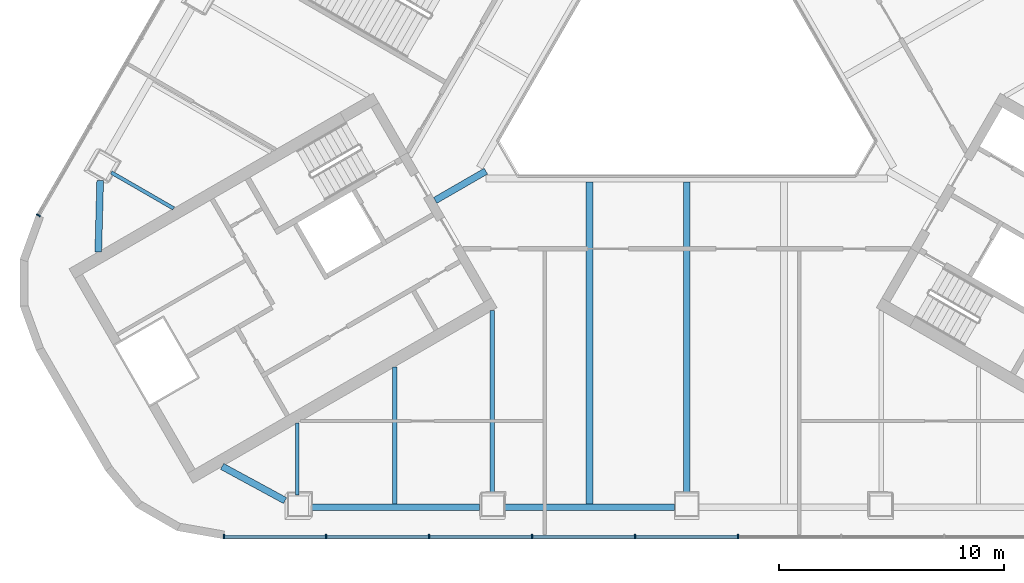
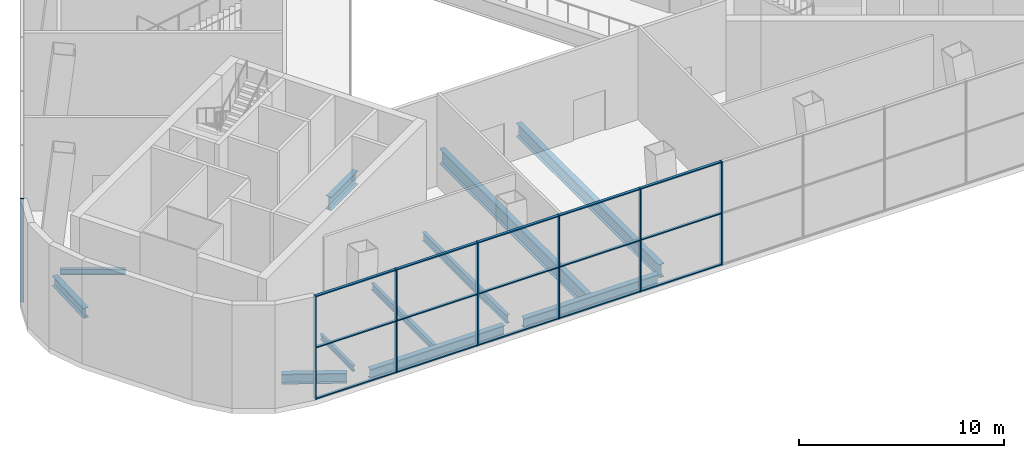
# One storey, part 2 of 17: 22 members, 11 beams, 2 elements without a shape of their own.
"""IFC4 building model written with IfcOpenShell, lengths in metres."""

import ifcopenshell
import ifcopenshell.guid

model = None  # the IFC model being written
_history = None  # IfcOwnerHistory: only IFC2X3 demands one
_inside = {}  # id of a spatial element -> (the spatial element, [elements in it])
_under = {}  # id of a project, library or spatial element -> (it, [spatial elements below it])
_declared = {}  # id of a project -> (the project, [libraries it declares])
_typed = {}  # id of a type object -> (the type object, [elements of that type])
_made_of = {}  # id of a material, layer set ... -> (it, [elements and type objects made of it])


def new_model(schema):
    """Start an empty IFC model of exactly this schema.

    Asked for "IFC4X3", IfcOpenShell would pick the latest addendum, in which some entities
    have other attributes; the version numbers below select the first issue.
    IFC2X3 requires an IfcOwnerHistory on every rooted entity: one is made here for all.
    """
    global model, _history
    if schema == "IFC4X3":
        model = ifcopenshell.file(schema_version=(4, 3, 0, 0))
    else:
        model = ifcopenshell.file(schema=schema)
    _inside.clear()
    _under.clear()
    _declared.clear()
    _typed.clear()
    _made_of.clear()
    _history = None
    if model.schema == "IFC2X3":
        org = make("IfcOrganization", Name="unknown")
        user = make(
            "IfcPersonAndOrganization",
            ThePerson=make("IfcPerson", FamilyName="unknown"),
            TheOrganization=org,
        )
        app = make(
            "IfcApplication",
            ApplicationDeveloper=org,
            Version="unknown",
            ApplicationFullName="unknown",
            ApplicationIdentifier="unknown",
        )
        _history = make(
            "IfcOwnerHistory",
            OwningUser=user,
            OwningApplication=app,
            ChangeAction="ADDED",
            CreationDate=0,
        )
    return model


def make(cls, **values):
    """One entity of the class cls with the attributes given. An attribute that is None is left unset."""
    return model.create_entity(
        cls, **{name: value for name, value in values.items() if value is not None}
    )


def rooted(cls, **values):
    """An entity with a GlobalId (a new one), such as an element, a storey or a relation."""
    return make(cls, GlobalId=ifcopenshell.guid.new(), OwnerHistory=_history, **values)


def si_unit(unit_type, name, prefix=None):
    """IfcSIUnit, for example si_unit("LENGTHUNIT", "METRE", prefix="MILLI")."""
    return make("IfcSIUnit", UnitType=unit_type, Prefix=prefix, Name=name)


def assignment(units):
    """IfcUnitAssignment: the units of a project."""
    return None if units is None else make("IfcUnitAssignment", Units=units)


def point(xyz):
    """IfcCartesianPoint."""
    return None if xyz is None else make("IfcCartesianPoint", Coordinates=xyz)


def direction(xyz):
    """IfcDirection."""
    return None if xyz is None else make("IfcDirection", DirectionRatios=xyz)


def frame(location, z_axis=None, x_axis=None):
    """IfcAxis2Placement3D, a coordinate frame: its origin and axes. An axis left out is left unset."""
    return make(
        "IfcAxis2Placement3D",
        Location=point(location),
        Axis=direction(z_axis),
        RefDirection=direction(x_axis),
    )


def frame_2d(location, x_axis=None):
    """IfcAxis2Placement2D, a coordinate frame in the plane: its origin and x axis."""
    return make(
        "IfcAxis2Placement2D", Location=point(location), RefDirection=direction(x_axis)
    )


def origin():
    """The frame at (0, 0, 0) with its axes left unset."""
    return frame((0.0, 0.0, 0.0))


def origin_2d():
    """The frame at (0, 0) in the plane with its x axis left unset."""
    return frame_2d((0.0, 0.0))


def place(relative_to, where):
    """IfcLocalPlacement: puts the frame where relative to a parent placement (None: the world)."""
    return make(
        "IfcLocalPlacement", PlacementRelTo=relative_to, RelativePlacement=where
    )


def context(
    kind, dimensions, precision=None, world=None, true_north=None, identifier=None
):
    """IfcGeometricRepresentationContext, for example the 3D "Model" context."""
    return make(
        "IfcGeometricRepresentationContext",
        ContextIdentifier=identifier,
        ContextType=kind,
        CoordinateSpaceDimension=dimensions,
        Precision=precision,
        WorldCoordinateSystem=world,
        TrueNorth=true_north,
    )


def subcontext(parent, identifier, kind, view, scale=None):
    """IfcGeometricRepresentationSubContext, for example "Body" below "Model"."""
    return make(
        "IfcGeometricRepresentationSubContext",
        ContextIdentifier=identifier,
        ContextType=kind,
        ParentContext=parent,
        TargetScale=scale,
        TargetView=view,
    )


def project(units=None, contexts=None):
    """IfcProject with its units and contexts."""
    return rooted(
        "IfcProject",
        Name="project",
        RepresentationContexts=contexts,
        UnitsInContext=assignment(units),
    )


def spatial(cls, under=None, at=None, **own):
    """A site, building, storey or space (cls), placed at a placement, below another one or the project."""
    s = rooted(cls, ObjectPlacement=at, **own)
    if under is not None:
        _under.setdefault(under.id(), (under, []))[1].append(s)
    return s


def profile(cls, at=None, kind="AREA", **sizes):
    """A parametric profile (cls). Its sizes go by their IFC names, for example OverallWidth=200.0."""
    return make(cls, ProfileType=kind, Position=at, **sizes)


def rectangle(**sizes):
    """IfcRectangleProfileDef."""
    return profile("IfcRectangleProfileDef", **sizes)


def i_section(**sizes):
    """IfcIShapeProfileDef."""
    return profile("IfcIShapeProfileDef", **sizes)


def extrude(swept, where, along, depth):
    """IfcExtrudedAreaSolid: the profile swept, set in the frame where, extruded along a direction by depth."""
    return make(
        "IfcExtrudedAreaSolid",
        SweptArea=swept,
        Position=where,
        ExtrudedDirection=direction(along),
        Depth=depth,
    )


def shape(context_of_items, identifier, shape_type, items):
    """IfcShapeRepresentation: the items that make up one representation, for example the "Body"."""
    return make(
        "IfcShapeRepresentation",
        ContextOfItems=context_of_items,
        RepresentationIdentifier=identifier,
        RepresentationType=shape_type,
        Items=items,
    )


def material(Name=None, Category=None):
    """IfcMaterial."""
    return make("IfcMaterial", Name=Name, Category=Category)


def layer(
    of_material, thickness, ventilated=None, Name=None, Category=None, Priority=None
):
    """IfcMaterialLayer: one layer of a wall or slab, of a material (None: an air gap)."""
    return make(
        "IfcMaterialLayer",
        Material=of_material,
        LayerThickness=thickness,
        IsVentilated=ventilated,
        Name=Name,
        Category=Category,
        Priority=Priority,
    )


def layer_set(layers, Name=None):
    """IfcMaterialLayerSet."""
    return make("IfcMaterialLayerSet", MaterialLayers=layers, LayerSetName=Name)


def material_profile(
    of_material, cross_section, Name=None, Category=None, Priority=None
):
    """IfcMaterialProfile: a cross section and its material."""
    return make(
        "IfcMaterialProfile",
        Name=Name,
        Material=of_material,
        Profile=cross_section,
        Priority=Priority,
        Category=Category,
    )


def profile_set(profiles, Name=None, composite=None):
    """IfcMaterialProfileSet."""
    return make(
        "IfcMaterialProfileSet",
        Name=Name,
        MaterialProfiles=profiles,
        CompositeProfile=composite,
    )


def made_of(thing, what):
    """Note that an element or type object is made of a material, layer set ...; save() writes the relation."""
    if what is not None:
        _made_of.setdefault(what.id(), (what, []))[1].append(thing)
    return thing


def type_object(cls, material=None, **own):
    """A type object (cls), such as IfcWallType, which elements share."""
    return made_of(rooted(cls, **own), material)


def element(
    cls,
    number,
    at=None,
    inside=None,
    cuts=None,
    type_object=None,
    material=None,
    context=None,
    identifier="Body",
    shape_type=None,
    held_by="IfcProductDefinitionShape",
    body=None,
    shapes=None,
    **own,
):
    """One element of the class cls, such as IfcWall. Its Tag is "e" and its number.

    at: its placement. inside: the storey or other place that contains it. cuts: it is an
    opening in that element (IfcRelVoidsElement). A single representation is given by context,
    identifier, shape_type and body (its items); several are given by shapes. held_by: the class
    of the entity that holds the representations. save() writes the other relations.
    """
    e = rooted(cls, Tag="e%d" % number, ObjectPlacement=at, **own)
    if body is not None:
        shapes = [shape(context, identifier, shape_type, body)]
    if shapes is not None:
        e.Representation = make(held_by, Representations=shapes)
    if inside is not None:
        _inside.setdefault(inside.id(), (inside, []))[1].append(e)
    if cuts is not None:
        rooted(
            "IfcRelVoidsElement", RelatingBuildingElement=cuts, RelatedOpeningElement=e
        )
    if type_object is not None:
        _typed.setdefault(type_object.id(), (type_object, []))[1].append(e)
    return made_of(e, material)


def aggregate(whole, parts):
    """IfcRelAggregates: a whole, such as a stair, and the parts it consists of."""
    return rooted("IfcRelAggregates", RelatingObject=whole, RelatedObjects=parts)


def save(model, path):
    """Write the relations noted so far, then the file.

    IfcRelAggregates (storeys below a building ...), IfcRelContainedInSpatialStructure (elements
    in a storey), IfcRelDefinesByType, IfcRelAssociatesMaterial and IfcRelDeclares: one each for
    every whole, place, type object, material and project.
    """
    for whole, parts in _under.values():
        aggregate(whole, parts)
    for where, things in _inside.values():
        rooted(
            "IfcRelContainedInSpatialStructure",
            RelatedElements=things,
            RelatingStructure=where,
        )
    for kind, things in _typed.values():
        rooted("IfcRelDefinesByType", RelatedObjects=things, RelatingType=kind)
    for what, things in _made_of.values():
        rooted("IfcRelAssociatesMaterial", RelatedObjects=things, RelatingMaterial=what)
    for by, libraries in _declared.values():
        rooted("IfcRelDeclares", RelatingContext=by, RelatedDefinitions=libraries)
    model.write(path)


model = new_model("IFC4")

# Units and contexts
model_context = context("Model", 3, precision=1e-05, world=origin(), true_north=direction((0.0, 1.0)))
body_context = subcontext(model_context, "Body", "Model", "MODEL_VIEW")
ifc_project = project(units=[si_unit("LENGTHUNIT", "METRE"), si_unit("AREAUNIT", "SQUARE_METRE"), si_unit("VOLUMEUNIT", "CUBIC_METRE"), si_unit("PLANEANGLEUNIT", "RADIAN"), si_unit("MASSUNIT", "GRAM", prefix="KILO")], contexts=[model_context])

# Site, building, storey
site_placement = place(None, origin())
site = spatial("IfcSite", under=ifc_project, at=site_placement, CompositionType="ELEMENT")
building_placement = place(site_placement, origin())
building = spatial("IfcBuilding", under=site, at=building_placement, Name="Apuvela Tower Hotel", CompositionType="ELEMENT")
storey_placement = place(building_placement, frame((0.0, 0.0, 9.0)))
storey = spatial("IfcBuildingStorey", under=building, at=storey_placement, Name="L01", CompositionType="ELEMENT", Elevation=9.0)

# Curtain wall, members
ifc_material_1 = material(Name="Aluminium 6063-T6, dark bronze anodised", Category="aluminium")
ifc_layer = layer(ifc_material_1, 0.199951171875)
ifc_layer_set = layer_set([ifc_layer], Name="ENV-CW-P")
curtain_wall_type = type_object("IfcCurtainWallType", Name="ENV-CW-P", PredefinedType="NOTDEFINED", material=ifc_layer_set)
curtain_wall_1_placement = place(storey_placement, origin())
curtain_wall_1 = element("IfcCurtainWall", 1, at=curtain_wall_1_placement, inside=storey, type_object=curtain_wall_type, Name="Curtain wall CW-P S L01", PredefinedType="NOTDEFINED")
ifc_material_profile_1 = material_profile(ifc_material_1, rectangle(XDim=0.199951171875, YDim=0.06494140625, at=origin_2d()), Name="AL 65x200")
ifc_profile_set_1 = profile_set([ifc_material_profile_1], Name="Aluminium 6063-T6, dark bronze anodised")
member_type_1 = type_object("IfcMemberType", Name="ENV-MULLION-65x200", PredefinedType="MULLION", material=ifc_profile_set_1)
member_1_placement = place(storey_placement, frame((-20.554931640625, -21.37841796875, 0.0), z_axis=(0.0, 0.0, 1.0), x_axis=(0.0, 1.0, 0.0)))
member_1 = element("IfcMember", 2, at=member_1_placement, type_object=member_type_1, Name="CW-P mullion 1", PredefinedType="MULLION", context=body_context, shape_type="SweptSolid", body=[
    extrude(rectangle(XDim=0.199951171875, YDim=0.06494140625, at=origin_2d()), origin(), (0.0, 0.0, 1.0), 6.14990234375),
])
member_2_placement = place(storey_placement, frame((-16.012451171875, -21.37841796875, 0.0), z_axis=(0.0, 0.0, 1.0), x_axis=(0.0, 1.0, 0.0)))
member_2 = element("IfcMember", 3, at=member_2_placement, type_object=member_type_1, Name="CW-P mullion 2", PredefinedType="MULLION", context=body_context, shape_type="SweptSolid", body=[
    extrude(rectangle(XDim=0.199951171875, YDim=0.06494140625, at=origin_2d()), origin(), (0.0, 0.0, 1.0), 6.14990234375),
])
member_3_placement = place(storey_placement, frame((-11.4375, -21.37841796875, 0.0), z_axis=(0.0, 0.0, 1.0), x_axis=(0.0, 1.0, 0.0)))
member_3 = element("IfcMember", 4, at=member_3_placement, type_object=member_type_1, Name="CW-P mullion 3", PredefinedType="MULLION", context=body_context, shape_type="SweptSolid", body=[
    extrude(rectangle(XDim=0.199951171875, YDim=0.06494140625, at=origin_2d()), origin(), (0.0, 0.0, 1.0), 6.14990234375),
])
member_4_placement = place(storey_placement, frame((-6.862548828125, -21.37841796875, 0.0), z_axis=(0.0, 0.0, 1.0), x_axis=(0.0, 1.0, 0.0)))
member_4 = element("IfcMember", 5, at=member_4_placement, type_object=member_type_1, Name="CW-P mullion 4", PredefinedType="MULLION", context=body_context, shape_type="SweptSolid", body=[
    extrude(rectangle(XDim=0.199951171875, YDim=0.06494140625, at=origin_2d()), origin(), (0.0, 0.0, 1.0), 6.14990234375),
])
member_5_placement = place(storey_placement, frame((-2.28759765625, -21.37841796875, 0.0), z_axis=(0.0, 0.0, 1.0), x_axis=(0.0, 1.0, 0.0)))
member_5 = element("IfcMember", 6, at=member_5_placement, type_object=member_type_1, Name="CW-P mullion 5", PredefinedType="MULLION", context=body_context, shape_type="SweptSolid", body=[
    extrude(rectangle(XDim=0.199951171875, YDim=0.06494140625, at=origin_2d()), origin(), (0.0, 0.0, 1.0), 6.14990234375),
])
member_6_placement = place(storey_placement, frame((2.28759765625, -21.37841796875, 0.0), z_axis=(0.0, 0.0, 1.0), x_axis=(0.0, 1.0, 0.0)))
member_6 = element("IfcMember", 7, at=member_6_placement, type_object=member_type_1, Name="CW-P mullion 6", PredefinedType="MULLION", context=body_context, shape_type="SweptSolid", body=[
    extrude(rectangle(XDim=0.199951171875, YDim=0.06494140625, at=origin_2d()), origin(), (0.0, 0.0, 1.0), 6.14990234375),
])

# Curtain wall, member
curtain_wall_2_placement = place(storey_placement, origin())
curtain_wall_2 = element("IfcCurtainWall", 8, at=curtain_wall_2_placement, inside=storey, type_object=curtain_wall_type, Name="Curtain wall CW-P NW L01", PredefinedType="NOTDEFINED")
member_7_placement = place(storey_placement, frame((-28.791748046875, -7.112060546875, 0.0), z_axis=(0.0, 0.0, 1.0), x_axis=(0.866025428062, -0.49999995795, 0.0)))
member_7 = element("IfcMember", 9, at=member_7_placement, type_object=member_type_1, Name="CW-P mullion 10", PredefinedType="MULLION", context=body_context, shape_type="SweptSolid", body=[
    extrude(rectangle(XDim=0.199951171875, YDim=0.06494140625, at=origin_2d()), origin(), (0.0, 0.0, 1.0), 6.14990234375),
])
aggregate(curtain_wall_2, [member_7])

# Member
ifc_material_profile_2 = material_profile(ifc_material_1, rectangle(XDim=0.14990234375, YDim=0.06494140625, at=origin_2d()), Name="AL 65x150 transom")
ifc_profile_set_2 = profile_set([ifc_material_profile_2], Name="Aluminium 6063-T6, dark bronze anodised")
member_type_2 = type_object("IfcMemberType", Name="ENV-TRANSOM-65x150", PredefinedType="USERDEFINED", material=ifc_profile_set_2)
member_8_placement = place(storey_placement, frame((-20.5224609375, -21.37841796875, 0.032470703125), z_axis=(1.0, 0.0, 0.0), x_axis=(0.0, 1.0, 0.0)))
member_8 = element("IfcMember", 10, at=member_8_placement, type_object=member_type_2, Name="CW-P transom 1.1", ObjectType="TRANSOM", PredefinedType="USERDEFINED", context=body_context, shape_type="SweptSolid", body=[
    extrude(rectangle(XDim=0.14990234375, YDim=0.06494140625, at=origin_2d()), origin(), (0.0, 0.0, 1.0), 4.4775390625),
])

member_9_placement = place(storey_placement, frame((-20.5224609375, -21.37841796875, 3.074951171875), z_axis=(1.0, 0.0, 0.0), x_axis=(0.0, 1.0, 0.0)))
member_9 = element("IfcMember", 11, at=member_9_placement, type_object=member_type_2, Name="CW-P transom 1.2", ObjectType="TRANSOM", PredefinedType="USERDEFINED", context=body_context, shape_type="SweptSolid", body=[
    extrude(rectangle(XDim=0.14990234375, YDim=0.06494140625, at=origin_2d()), origin(), (0.0, 0.0, 1.0), 4.4775390625),
])

member_10_placement = place(storey_placement, frame((-20.5224609375, -21.37841796875, 6.117431640625), z_axis=(1.0, 0.0, 0.0), x_axis=(0.0, 1.0, 0.0)))
member_10 = element("IfcMember", 12, at=member_10_placement, type_object=member_type_2, Name="CW-P transom 1.3", ObjectType="TRANSOM", PredefinedType="USERDEFINED", context=body_context, shape_type="SweptSolid", body=[
    extrude(rectangle(XDim=0.14990234375, YDim=0.06494140625, at=origin_2d()), origin(), (0.0, 0.0, 1.0), 4.4775390625),
])

member_11_placement = place(storey_placement, frame((-15.97998046875, -21.37841796875, 0.032470703125), z_axis=(1.0, 0.0, 0.0), x_axis=(0.0, 1.0, 0.0)))
member_11 = element("IfcMember", 13, at=member_11_placement, type_object=member_type_2, Name="CW-P transom 2.1", ObjectType="TRANSOM", PredefinedType="USERDEFINED", context=body_context, shape_type="SweptSolid", body=[
    extrude(rectangle(XDim=0.14990234375, YDim=0.06494140625, at=origin_2d()), origin(), (0.0, 0.0, 1.0), 4.510009765625),
])

member_12_placement = place(storey_placement, frame((-15.97998046875, -21.37841796875, 3.074951171875), z_axis=(1.0, 0.0, 0.0), x_axis=(0.0, 1.0, 0.0)))
member_12 = element("IfcMember", 14, at=member_12_placement, type_object=member_type_2, Name="CW-P transom 2.2", ObjectType="TRANSOM", PredefinedType="USERDEFINED", context=body_context, shape_type="SweptSolid", body=[
    extrude(rectangle(XDim=0.14990234375, YDim=0.06494140625, at=origin_2d()), origin(), (0.0, 0.0, 1.0), 4.510009765625),
])

member_13_placement = place(storey_placement, frame((-15.97998046875, -21.37841796875, 6.117431640625), z_axis=(1.0, 0.0, 0.0), x_axis=(0.0, 1.0, 0.0)))
member_13 = element("IfcMember", 15, at=member_13_placement, type_object=member_type_2, Name="CW-P transom 2.3", ObjectType="TRANSOM", PredefinedType="USERDEFINED", context=body_context, shape_type="SweptSolid", body=[
    extrude(rectangle(XDim=0.14990234375, YDim=0.06494140625, at=origin_2d()), origin(), (0.0, 0.0, 1.0), 4.510009765625),
])

member_14_placement = place(storey_placement, frame((-11.405029296875, -21.37841796875, 0.032470703125), z_axis=(1.0, 0.0, 0.0), x_axis=(0.0, 1.0, 0.0)))
member_14 = element("IfcMember", 16, at=member_14_placement, type_object=member_type_2, Name="CW-P transom 3.1", ObjectType="TRANSOM", PredefinedType="USERDEFINED", context=body_context, shape_type="SweptSolid", body=[
    extrude(rectangle(XDim=0.14990234375, YDim=0.06494140625, at=origin_2d()), origin(), (0.0, 0.0, 1.0), 4.510009765625),
])

member_15_placement = place(storey_placement, frame((-11.405029296875, -21.37841796875, 3.074951171875), z_axis=(1.0, 0.0, 0.0), x_axis=(0.0, 1.0, 0.0)))
member_15 = element("IfcMember", 17, at=member_15_placement, type_object=member_type_2, Name="CW-P transom 3.2", ObjectType="TRANSOM", PredefinedType="USERDEFINED", context=body_context, shape_type="SweptSolid", body=[
    extrude(rectangle(XDim=0.14990234375, YDim=0.06494140625, at=origin_2d()), origin(), (0.0, 0.0, 1.0), 4.510009765625),
])

member_16_placement = place(storey_placement, frame((-11.405029296875, -21.37841796875, 6.117431640625), z_axis=(1.0, 0.0, 0.0), x_axis=(0.0, 1.0, 0.0)))
member_16 = element("IfcMember", 18, at=member_16_placement, type_object=member_type_2, Name="CW-P transom 3.3", ObjectType="TRANSOM", PredefinedType="USERDEFINED", context=body_context, shape_type="SweptSolid", body=[
    extrude(rectangle(XDim=0.14990234375, YDim=0.06494140625, at=origin_2d()), origin(), (0.0, 0.0, 1.0), 4.510009765625),
])

member_17_placement = place(storey_placement, frame((-6.830078125, -21.37841796875, 0.032470703125), z_axis=(1.0, 0.0, 0.0), x_axis=(0.0, 1.0, 0.0)))
member_17 = element("IfcMember", 19, at=member_17_placement, type_object=member_type_2, Name="CW-P transom 4.1", ObjectType="TRANSOM", PredefinedType="USERDEFINED", context=body_context, shape_type="SweptSolid", body=[
    extrude(rectangle(XDim=0.14990234375, YDim=0.06494140625, at=origin_2d()), origin(), (0.0, 0.0, 1.0), 4.510009765625),
])

member_18_placement = place(storey_placement, frame((-6.830078125, -21.37841796875, 3.074951171875), z_axis=(1.0, 0.0, 0.0), x_axis=(0.0, 1.0, 0.0)))
member_18 = element("IfcMember", 20, at=member_18_placement, type_object=member_type_2, Name="CW-P transom 4.2", ObjectType="TRANSOM", PredefinedType="USERDEFINED", context=body_context, shape_type="SweptSolid", body=[
    extrude(rectangle(XDim=0.14990234375, YDim=0.06494140625, at=origin_2d()), origin(), (0.0, 0.0, 1.0), 4.510009765625),
])

member_19_placement = place(storey_placement, frame((-6.830078125, -21.37841796875, 6.117431640625), z_axis=(1.0, 0.0, 0.0), x_axis=(0.0, 1.0, 0.0)))
member_19 = element("IfcMember", 21, at=member_19_placement, type_object=member_type_2, Name="CW-P transom 4.3", ObjectType="TRANSOM", PredefinedType="USERDEFINED", context=body_context, shape_type="SweptSolid", body=[
    extrude(rectangle(XDim=0.14990234375, YDim=0.06494140625, at=origin_2d()), origin(), (0.0, 0.0, 1.0), 4.510009765625),
])

member_20_placement = place(storey_placement, frame((-2.2548828125, -21.37841796875, 0.032470703125), z_axis=(1.0, 0.0, 0.0), x_axis=(0.0, 1.0, 0.0)))
member_20 = element("IfcMember", 22, at=member_20_placement, type_object=member_type_2, Name="CW-P transom 5.1", ObjectType="TRANSOM", PredefinedType="USERDEFINED", context=body_context, shape_type="SweptSolid", body=[
    extrude(rectangle(XDim=0.14990234375, YDim=0.06494140625, at=origin_2d()), origin(), (0.0, 0.0, 1.0), 4.509765625),
])

member_21_placement = place(storey_placement, frame((-2.2548828125, -21.37841796875, 3.074951171875), z_axis=(1.0, 0.0, 0.0), x_axis=(0.0, 1.0, 0.0)))
member_21 = element("IfcMember", 23, at=member_21_placement, type_object=member_type_2, Name="CW-P transom 5.2", ObjectType="TRANSOM", PredefinedType="USERDEFINED", context=body_context, shape_type="SweptSolid", body=[
    extrude(rectangle(XDim=0.14990234375, YDim=0.06494140625, at=origin_2d()), origin(), (0.0, 0.0, 1.0), 4.509765625),
])

member_22_placement = place(storey_placement, frame((-2.2548828125, -21.37841796875, 6.117431640625), z_axis=(1.0, 0.0, 0.0), x_axis=(0.0, 1.0, 0.0)))
member_22 = element("IfcMember", 24, at=member_22_placement, type_object=member_type_2, Name="CW-P transom 5.3", ObjectType="TRANSOM", PredefinedType="USERDEFINED", context=body_context, shape_type="SweptSolid", body=[
    extrude(rectangle(XDim=0.14990234375, YDim=0.06494140625, at=origin_2d()), origin(), (0.0, 0.0, 1.0), 4.509765625),
])

aggregate(curtain_wall_1, [member_1, member_2, member_3, member_4, member_5, member_6, member_8, member_9, member_10, member_11, member_12, member_13, member_14, member_15, member_16, member_17, member_18, member_19, member_20, member_21, member_22])

# Beams
ifc_material_2 = material(Name="Steel S355", Category="steel")
ifc_material_profile_3 = material_profile(ifc_material_2, i_section(OverallWidth=0.300048828125, OverallDepth=0.7900390625, WebThickness=0.014892578125, FlangeThickness=0.028076171875, at=origin_2d()), Name="HE 800 A")
ifc_profile_set_3 = profile_set([ifc_material_profile_3], Name="Steel S355")
beam_type_1 = type_object("IfcBeamType", Name="STR-B floor beam HE 800 A", PredefinedType="BEAM", material=ifc_profile_set_3)
beam_1_placement = place(storey_placement, frame((0.0, -19.5283203125, -0.695068359375), z_axis=(0.0, 1.0, 0.0), x_axis=(-1.0, 0.0, 0.0)))
element("IfcBeam", 25, at=beam_1_placement, inside=storey, type_object=beam_type_1, Name="Floor beam B5 S5", PredefinedType="BEAM", context=body_context, shape_type="SweptSolid", body=[
    extrude(i_section(OverallWidth=0.300048828125, OverallDepth=0.7900390625, WebThickness=0.014892578125, FlangeThickness=0.028076171875, at=origin_2d()), origin(), (0.0, 0.0, 1.0), 13.90625),
])
ifc_material_profile_4 = material_profile(ifc_material_2, i_section(OverallWidth=0.300048828125, OverallDepth=0.889892578125, WebThickness=0.01611328125, FlangeThickness=0.030029296875, at=origin_2d()), Name="HE 900 A")
ifc_profile_set_4 = profile_set([ifc_material_profile_4], Name="Steel S355")
beam_type_2 = type_object("IfcBeamType", Name="STR-B floor beam HE 900 A", PredefinedType="BEAM", material=ifc_profile_set_4)
beam_2_placement = place(storey_placement, frame((-4.322021484375, -19.92822265625, -0.7451171875), z_axis=(0.0, 1.0, 0.0), x_axis=(-1.0, 0.0, 0.0)))
element("IfcBeam", 26, at=beam_2_placement, inside=storey, type_object=beam_type_2, Name="Floor beam B4 S4", PredefinedType="BEAM", context=body_context, shape_type="SweptSolid", body=[
    extrude(i_section(OverallWidth=0.300048828125, OverallDepth=0.889892578125, WebThickness=0.01611328125, FlangeThickness=0.030029296875, at=origin_2d()), origin(), (0.0, 0.0, 1.0), 14.30615234375),
])
ifc_material_profile_5 = material_profile(ifc_material_2, i_section(OverallWidth=0.159912109375, OverallDepth=0.330078125, WebThickness=0.007568359375, FlangeThickness=0.011474609375, at=origin_2d()), Name="IPE 330")
ifc_profile_set_5 = profile_set([ifc_material_profile_5], Name="Steel S355")
beam_type_3 = type_object("IfcBeamType", Name="STR-B floor beam IPE 330", PredefinedType="BEAM", material=ifc_profile_set_5)
for number, where, z_axis, x_axis, name in (
    (27, (-25.555908203125, -5.20751953125, -0.465087890625), (0.866044409959, -0.499967078895, 0.0), (0.499967078895, 0.866044409959, 0.0), "Floor beam B1 NW9"),
    (28, (-17.28759765625, -19.5283203125, -0.465087890625), (0.0, 1.0, 0.0), (-1.0, 0.0, 0.0), "Floor beam B1 S1"),
):
    element("IfcBeam", number, at=place(storey_placement, frame(where, z_axis=z_axis, x_axis=x_axis)), inside=storey, type_object=beam_type_3, Name=name, PredefinedType="BEAM", context=body_context, shape_type="SweptSolid", body=[
        extrude(i_section(OverallWidth=0.159912109375, OverallDepth=0.330078125, WebThickness=0.007568359375, FlangeThickness=0.011474609375, at=origin_2d()), origin(), (0.0, 0.0, 1.0), 3.196533203125),
    ])
ifc_material_profile_6 = material_profile(ifc_material_2, i_section(OverallWidth=0.179931640625, OverallDepth=0.39990234375, WebThickness=0.008544921875, FlangeThickness=0.013427734375, at=origin_2d()), Name="IPE 400")
ifc_profile_set_6 = profile_set([ifc_material_profile_6], Name="Steel S355")
beam_type_4 = type_object("IfcBeamType", Name="STR-B floor beam IPE 400", PredefinedType="BEAM", material=ifc_profile_set_6)
beam_3_placement = place(storey_placement, frame((-12.9658203125, -19.92822265625, -0.5), z_axis=(0.0, 1.0, 0.0), x_axis=(-1.0, 0.0, 0.0)))
element("IfcBeam", 29, at=beam_3_placement, inside=storey, type_object=beam_type_4, Name="Floor beam B2 S2", PredefinedType="BEAM", context=body_context, shape_type="SweptSolid", body=[
    extrude(i_section(OverallWidth=0.179931640625, OverallDepth=0.39990234375, WebThickness=0.008544921875, FlangeThickness=0.013427734375, at=origin_2d()), origin(), (0.0, 0.0, 1.0), 6.091552734375),
])
ifc_material_profile_7 = material_profile(ifc_material_2, i_section(OverallWidth=0.199951171875, OverallDepth=0.5, WebThickness=0.01025390625, FlangeThickness=0.01611328125, at=origin_2d()), Name="IPE 500")
ifc_profile_set_7 = profile_set([ifc_material_profile_7], Name="Steel S355")
beam_type_5 = type_object("IfcBeamType", Name="STR-B floor beam IPE 500", PredefinedType="BEAM", material=ifc_profile_set_7)
beam_4_placement = place(storey_placement, frame((-8.643798828125, -19.5283203125, -0.550048828125), z_axis=(0.0, 1.0, 0.0), x_axis=(-1.0, 0.0, 0.0)))
element("IfcBeam", 30, at=beam_4_placement, inside=storey, type_object=beam_type_5, Name="Floor beam B3 S3", PredefinedType="BEAM", context=body_context, shape_type="SweptSolid", body=[
    extrude(i_section(OverallWidth=0.199951171875, OverallDepth=0.5, WebThickness=0.01025390625, FlangeThickness=0.01611328125, at=origin_2d()), origin(), (0.0, 0.0, 1.0), 8.18701171875),
])
ifc_material_profile_8 = material_profile(ifc_material_2, i_section(OverallWidth=0.300048828125, OverallDepth=0.800048828125, WebThickness=0.017578125, FlangeThickness=0.032958984375, at=origin_2d()), Name="HE 800 B")
ifc_profile_set_8 = profile_set([ifc_material_profile_8], Name="Steel S355")
beam_type_6 = type_object("IfcBeamType", Name="STR-GT core tie beam HE 800 B", PredefinedType="BEAM", material=ifc_profile_set_8)
beam_5_placement = place(storey_placement, frame((-11.171630859375, -6.449951171875, -0.699951171875), z_axis=(0.865997922154, 0.500047596559, 0.0), x_axis=(-0.500047596559, 0.865997922154, 0.0)))
element("IfcBeam", 31, at=beam_5_placement, inside=storey, type_object=beam_type_6, Name="Core tie beam GT1 SW", PredefinedType="BEAM", context=body_context, shape_type="SweptSolid", body=[
    extrude(i_section(OverallWidth=0.300048828125, OverallDepth=0.800048828125, WebThickness=0.017578125, FlangeThickness=0.032958984375, at=origin_2d()), origin(), (0.0, 0.0, 1.0), 2.599853515625),
])
ifc_material_profile_9 = material_profile(ifc_material_2, i_section(OverallWidth=0.300048828125, OverallDepth=0.60009765625, WebThickness=0.015380859375, FlangeThickness=0.030029296875, at=origin_2d()), Name="HE 600 B")
ifc_profile_set_9 = profile_set([ifc_material_profile_9], Name="Steel S355")
beam_type_7 = type_object("IfcBeamType", Name="STR-SB spandrel beam HE 600 B", PredefinedType="SPANDREL", material=ifc_profile_set_9)
beam_6_placement = place(storey_placement, frame((-16.73779296875, -20.078369140625, -0.60009765625), z_axis=(1.0, 0.0, 0.0), x_axis=(0.0, 1.0, 0.0)))
element("IfcBeam", 32, at=beam_6_placement, inside=storey, type_object=beam_type_7, Name="Spandrel beam SB1 S1", PredefinedType="SPANDREL", context=body_context, shape_type="SweptSolid", body=[
    extrude(i_section(OverallWidth=0.300048828125, OverallDepth=0.60009765625, WebThickness=0.015380859375, FlangeThickness=0.030029296875, at=origin_2d()), origin(), (0.0, 0.0, 1.0), 7.5439453125),
])
beam_7_placement = place(storey_placement, frame((-8.09375, -20.078369140625, -0.60009765625), z_axis=(1.0, 0.0, 0.0), x_axis=(0.0, 1.0, 0.0)))
element("IfcBeam", 33, at=beam_7_placement, inside=storey, type_object=beam_type_7, Name="Spandrel beam SB1 S2", PredefinedType="SPANDREL", context=body_context, shape_type="SweptSolid", body=[
    extrude(i_section(OverallWidth=0.300048828125, OverallDepth=0.60009765625, WebThickness=0.015380859375, FlangeThickness=0.030029296875, at=origin_2d()), origin(), (0.0, 0.0, 1.0), 7.543701171875),
])
beam_8_placement = place(storey_placement, frame((-17.837646484375, -19.77978515625, -0.60009765625), z_axis=(-0.878955499083, 0.476903795991, 0.0), x_axis=(-0.476903795991, -0.878955499083, 0.0)))
element("IfcBeam", 34, at=beam_8_placement, inside=storey, type_object=beam_type_7, Name="Spandrel beam SB1 S1-SW", PredefinedType="SPANDREL", context=body_context, shape_type="SweptSolid", body=[
    extrude(i_section(OverallWidth=0.300048828125, OverallDepth=0.60009765625, WebThickness=0.015380859375, FlangeThickness=0.030029296875, at=origin_2d()), origin(), (0.0, 0.0, 1.0), 3.18017578125),
])
beam_9_placement = place(storey_placement, frame((-26.048583984375, -5.55810546875, -0.60009765625), z_axis=(-0.026488398363, -0.999649120818, 0.0), x_axis=(0.999649120818, -0.026488398363, 0.0)))
element("IfcBeam", 35, at=beam_9_placement, inside=storey, type_object=beam_type_7, Name="Spandrel beam SB1 NW5-SW", PredefinedType="SPANDREL", context=body_context, shape_type="SweptSolid", body=[
    extrude(i_section(OverallWidth=0.300048828125, OverallDepth=0.60009765625, WebThickness=0.015380859375, FlangeThickness=0.030029296875, at=origin_2d()), origin(), (0.0, 0.0, 1.0), 3.179931640625),
])

save(model, "model.ifc")
